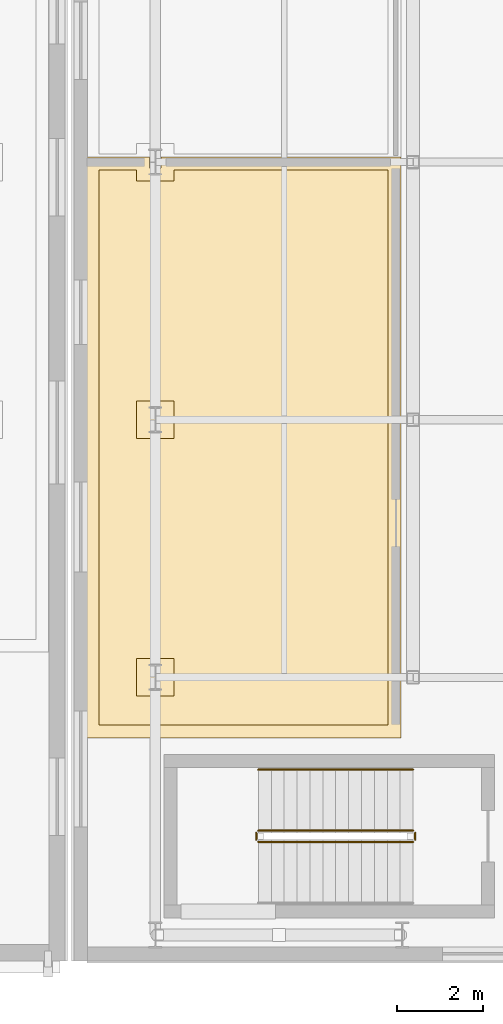
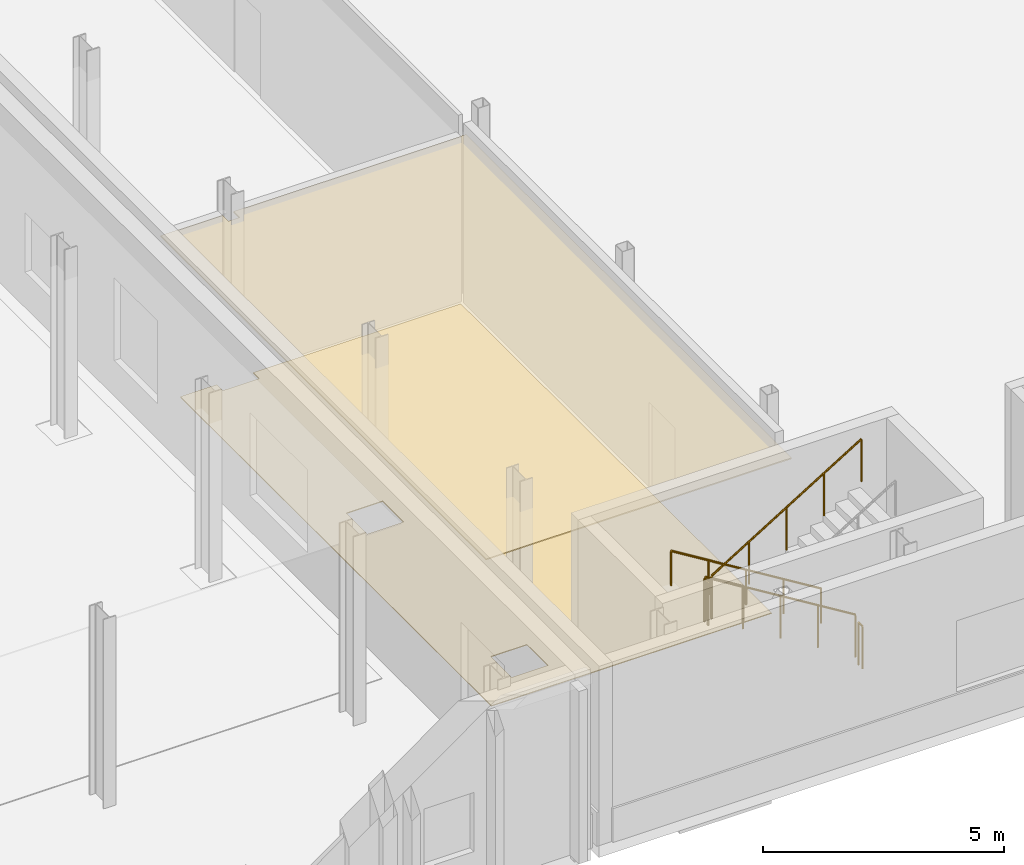
# One storey, part 42 of 60: 5 railings, 2 coverings.
"""IFC4 building model written with IfcOpenShell, lengths in metres."""

from ifc_helpers import new_model, si_unit, direction, frame, origin, origin_2d, place, context, subcontext, project, spatial, polyline, circle, outline, extrude, material, layer, layer_set, type_object, element, save


model = new_model("IFC4")

# Units and contexts
model_context = context("Model", 3, precision=1e-05, world=origin(), true_north=direction((0.0, 1.0)))
body_context = subcontext(model_context, "Body", "Model", "MODEL_VIEW")
ifc_project = project(units=[si_unit("LENGTHUNIT", "METRE"), si_unit("AREAUNIT", "SQUARE_METRE"), si_unit("VOLUMEUNIT", "CUBIC_METRE"), si_unit("PLANEANGLEUNIT", "RADIAN"), si_unit("MASSUNIT", "GRAM", prefix="KILO")], contexts=[model_context])

# Site, building, storey
site_placement = place(None, origin())
site = spatial("IfcSite", under=ifc_project, at=site_placement, CompositionType="ELEMENT")
building_placement = place(site_placement, origin())
building = spatial("IfcBuilding", under=site, at=building_placement, Name="Cymarion Research Institute", CompositionType="ELEMENT")
storey_placement = place(building_placement, origin())
storey = spatial("IfcBuildingStorey", under=building, at=storey_placement, Name="L00", CompositionType="ELEMENT", Elevation=0.0)

# Covering
ifc_material_1 = material(Name="Micro-perforated mineral acoustic ceiling tile", Category="gypsum")
ifc_layer_1 = layer(ifc_material_1, 0.030029296875)
ifc_layer_set_1 = layer_set([ifc_layer_1], Name="Micro-perforated mineral acoustic ceiling tile")
covering_type_1 = type_object("IfcCoveringType", Name="ACOUSTIC MICRO-PERFORATED SUSPENDED CEILING CLG-01", PredefinedType="CEILING", material=ifc_layer_set_1)
covering_1_placement = place(storey_placement, frame((0.0, 0.0, 4.0)))
element("IfcCovering", 1, at=covering_1_placement, inside=storey, type_object=covering_type_1, Name="L00 Fire Command and Emergency Control Room acoustic ceiling", PredefinedType="CEILING", context=body_context, shape_type="SweptSolid", body=[
    extrude(outline(polyline([(54.985107421875, 10.0849609375), (54.985107421875, 23.614990234375), (56.465087890625, 23.614990234375), (56.465087890625, 23.364990234375), (56.735107421875, 23.364990234375), (56.735107421875, 23.614990234375), (62.31494140625, 23.614990234375), (62.31494140625, 10.0849609375), (54.985107421875, 10.0849609375)])), origin(), (0.0, 0.0, 1.0), 0.030029296875),
])

# Railings
ifc_material_2 = material(Name="Steel S355", Category="steel")
railing_type_1 = type_object("IfcRailingType", Name="PAINTED STEEL STAIR GUARDRAIL GR1 1100MM", PredefinedType="GUARDRAIL", material=ifc_material_2)
railing_1_placement = place(storey_placement, frame((62.60009765625, 7.929931640625, 0.1845703125)))
element("IfcRailing", 2, at=railing_1_placement, inside=storey, type_object=railing_type_1, Name="L00 ST3 stair guard 1", PredefinedType="GUARDRAIL", context=body_context, shape_type="SweptSolid", body=[
    extrude(circle(Radius=0.02392578125, at=origin_2d()), frame((0.0, 0.0, 1.076171875), z_axis=(-0.85167021472, 0.0, 0.524078090897), x_axis=(0.0, -1.0, 0.0)), (0.0, 0.0, 1.0), 4.22705078125),
    extrude(circle(Radius=0.02099609375, at=origin_2d()), origin(), (0.0, 0.0, 1.0), 1.052001953125),
    extrude(circle(Radius=0.02099609375, at=origin_2d()), frame((-0.89990234375, 0.0, 0.5537109375)), (0.0, 0.0, 1.0), 1.052001953125),
    extrude(circle(Radius=0.02099609375, at=origin_2d()), frame((-1.800048828125, 0.0, 1.107666015625)), (0.0, 0.0, 1.0), 1.052001953125),
    extrude(circle(Radius=0.02099609375, at=origin_2d()), frame((-2.7001953125, 0.0, 1.66162109375)), (0.0, 0.0, 1.0), 1.052001953125),
    extrude(circle(Radius=0.02099609375, at=origin_2d()), frame((-3.60009765625, 0.0, 2.21533203125)), (0.0, 0.0, 1.0), 1.052001953125),
])
railing_2_placement = place(storey_placement, frame((58.949951171875, 7.8798828125, 2.39990234375)))
element("IfcRailing", 3, at=railing_2_placement, inside=storey, type_object=railing_type_1, Name="L00 ST3 stair guard 2", PredefinedType="GUARDRAIL", context=body_context, shape_type="SweptSolid", body=[
    extrude(circle(Radius=0.02392578125, at=origin_2d()), frame((0.0, 0.0, 1.076171875), z_axis=(0.0, -1.0, 0.0), x_axis=(1.0, 0.0, 0.0)), (0.0, 0.0, 1.0), 0.159912109375),
    extrude(circle(Radius=0.02099609375, at=origin_2d()), origin(), (0.0, 0.0, 1.0), 1.052001953125),
    extrude(circle(Radius=0.02099609375, at=origin_2d()), frame((0.0, -0.159912109375, 0.0)), (0.0, 0.0, 1.0), 1.052001953125),
])
railing_3_placement = place(storey_placement, frame((59.0, 7.669921875, 2.584716796875)))
element("IfcRailing", 4, at=railing_3_placement, inside=storey, type_object=railing_type_1, Name="L00 ST3 stair guard 3", PredefinedType="GUARDRAIL", context=body_context, shape_type="SweptSolid", body=[
    extrude(circle(Radius=0.02392578125, at=origin_2d()), frame((0.0, 0.0, 1.076171875), z_axis=(0.85167021472, 0.0, 0.524078090897), x_axis=(0.0, 1.0, 0.0)), (0.0, 0.0, 1.0), 4.22705078125),
    extrude(circle(Radius=0.02099609375, at=origin_2d()), origin(), (0.0, 0.0, 1.0), 1.052001953125),
    extrude(circle(Radius=0.02099609375, at=origin_2d()), frame((0.89990234375, 0.0, 0.5537109375)), (0.0, 0.0, 1.0), 1.052001953125),
    extrude(circle(Radius=0.02099609375, at=origin_2d()), frame((1.800048828125, 0.0, 1.107666015625)), (0.0, 0.0, 1.0), 1.052001953125),
    extrude(circle(Radius=0.02099609375, at=origin_2d()), frame((2.7001953125, 0.0, 1.66162109375)), (0.0, 0.0, 1.0), 1.052001953125),
    extrude(circle(Radius=0.02099609375, at=origin_2d()), frame((3.60009765625, 0.0, 2.21533203125)), (0.0, 0.0, 1.0), 1.052001953125),
])
railing_4_placement = place(storey_placement, frame((62.64990234375, 7.8798828125, 0.0)))
element("IfcRailing", 5, at=railing_4_placement, inside=storey, type_object=railing_type_1, Name="L00 ST3 stair guard 4", PredefinedType="GUARDRAIL", context=body_context, shape_type="SweptSolid", body=[
    extrude(circle(Radius=0.02392578125, at=origin_2d()), frame((0.0, 0.0, 1.076171875), z_axis=(0.0, -1.0, 0.0), x_axis=(1.0, 0.0, 0.0)), (0.0, 0.0, 1.0), 0.159912109375),
    extrude(circle(Radius=0.02099609375, at=origin_2d()), origin(), (0.0, 0.0, 1.0), 1.052001953125),
    extrude(circle(Radius=0.02099609375, at=origin_2d()), frame((0.0, -0.159912109375, 0.0)), (0.0, 0.0, 1.0), 1.052001953125),
])

# Covering
ifc_material_3 = material(Name="Seamless dissipative epoxy resin flooring", Category="resin")
ifc_layer_2 = layer(ifc_material_3, 0.02001953125)
ifc_layer_set_2 = layer_set([ifc_layer_2], Name="Seamless dissipative epoxy resin flooring")
covering_type_2 = type_object("IfcCoveringType", Name="SEAMLESS ESD EPOXY LABORATORY FLOORING FLR-01", PredefinedType="FLOORING", material=ifc_layer_set_2)
covering_2_placement = place(storey_placement, origin())
element("IfcCovering", 6, at=covering_2_placement, inside=storey, type_object=covering_type_2, Name="L00 Fire Command and Emergency Control Room ESD epoxy flooring", PredefinedType="FLOORING", context=body_context, shape_type="SweptSolid", body=[
    extrude(outline(polyline([(62.014892578125, 10.385009765625), (55.284912109375, 10.385009765625), (55.284912109375, 23.31494140625), (56.1650390625, 23.31494140625), (56.1650390625, 23.06494140625), (57.034912109375, 23.06494140625), (57.034912109375, 23.31494140625), (62.014892578125, 23.31494140625), (62.014892578125, 10.385009765625)]), holes=[polyline([(57.034912109375, 11.93505859375), (56.1650390625, 11.93505859375), (56.1650390625, 11.06494140625), (57.034912109375, 11.06494140625), (57.034912109375, 11.93505859375)]), polyline([(57.034912109375, 17.93505859375), (56.1650390625, 17.93505859375), (56.1650390625, 17.06494140625), (57.034912109375, 17.06494140625), (57.034912109375, 17.93505859375)])]), origin(), (0.0, 0.0, 1.0), 0.02001953125),
])

# Railing
railing_type_2 = type_object("IfcRailingType", Name="STAINLESS STEEL STAIR HANDRAIL HR1 900MM", PredefinedType="HANDRAIL", material=ifc_material_2)
railing_5_placement = place(storey_placement, frame((62.60009765625, 9.35009765625, 0.1845703125)))
element("IfcRailing", 7, at=railing_5_placement, inside=storey, type_object=railing_type_2, Name="L00 ST3 stair handrail 1", PredefinedType="HANDRAIL", context=body_context, shape_type="SweptSolid", body=[
    extrude(circle(Radius=0.02392578125, at=origin_2d()), frame((0.0, 0.0, 0.8759765625), z_axis=(-0.85167021472, 0.0, 0.524078090897), x_axis=(0.0, -1.0, 0.0)), (0.0, 0.0, 1.0), 4.22705078125),
    extrude(circle(Radius=0.02099609375, at=origin_2d()), origin(), (0.0, 0.0, 1.0), 0.851806640625),
    extrude(circle(Radius=0.02099609375, at=origin_2d()), frame((-0.89990234375, 0.0, 0.5537109375)), (0.0, 0.0, 1.0), 0.851806640625),
    extrude(circle(Radius=0.02099609375, at=origin_2d()), frame((-1.800048828125, 0.0, 1.107666015625)), (0.0, 0.0, 1.0), 0.851806640625),
    extrude(circle(Radius=0.02099609375, at=origin_2d()), frame((-2.7001953125, 0.0, 1.66162109375)), (0.0, 0.0, 1.0), 0.851806640625),
    extrude(circle(Radius=0.02099609375, at=origin_2d()), frame((-3.60009765625, 0.0, 2.21533203125)), (0.0, 0.0, 1.0), 0.851806640625),
])

save(model, "model.ifc")
